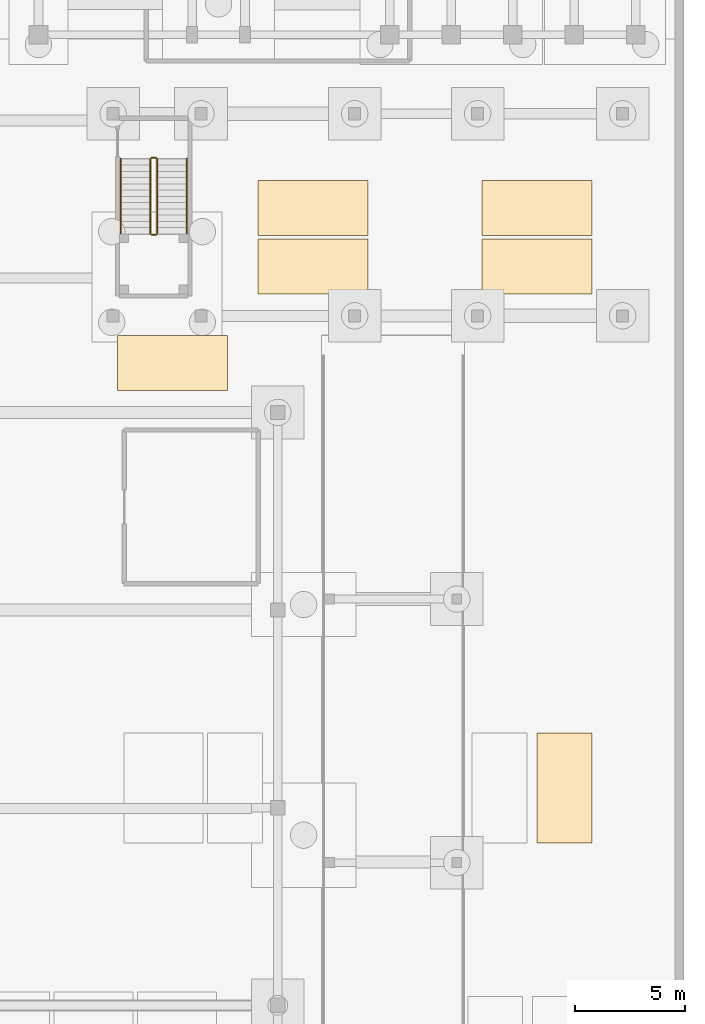
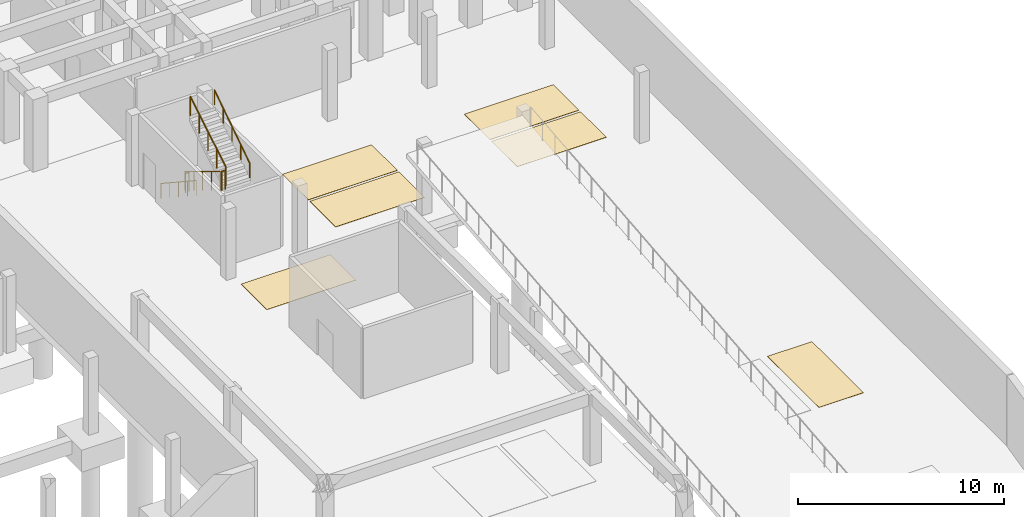
# One storey, part 50 of 53: 6 coverings, 6 railings.
"""IFC4 building model written with IfcOpenShell, lengths in metres."""

from ifc_helpers import new_model, si_unit, direction, frame, origin, origin_2d, place, context, subcontext, project, spatial, polyline, circle, outline, extrude, material, layer, layer_set, type_object, element, save


model = new_model("IFC4")

# Units and contexts
model_context = context("Model", 3, precision=1e-05, world=origin(), true_north=direction((0.0, 1.0)))
body_context = subcontext(model_context, "Body", "Model", "MODEL_VIEW")
ifc_project = project(units=[si_unit("LENGTHUNIT", "METRE"), si_unit("AREAUNIT", "SQUARE_METRE"), si_unit("VOLUMEUNIT", "CUBIC_METRE"), si_unit("PLANEANGLEUNIT", "RADIAN"), si_unit("MASSUNIT", "GRAM", prefix="KILO")], contexts=[model_context])

# Site, building, storey
site_placement = place(None, origin())
site = spatial("IfcSite", under=ifc_project, at=site_placement, CompositionType="ELEMENT")
building_placement = place(site_placement, origin())
building = spatial("IfcBuilding", under=site, at=building_placement, Name="Kiranvali Square Residences", CompositionType="ELEMENT")
storey_placement = place(building_placement, frame((0.0, 0.0, -4.5)))
storey = spatial("IfcBuildingStorey", under=building, at=storey_placement, Name="B1", CompositionType="ELEMENT", Elevation=-4.5)

# Coverings
ifc_material_1 = material(Name="Polished terrazzo and anti-slip vitrified floor finish", Category="stone")
ifc_layer = layer(ifc_material_1, 0.014892578125)
ifc_layer_set = layer_set([ifc_layer], Name="Polished terrazzo and anti-slip vitrified floor finish")
covering_type = type_object("IfcCoveringType", Name="COV-BAY-STD", PredefinedType="FLOORING", material=ifc_layer_set)
covering_1_placement = place(storey_placement, origin())
element("IfcCovering", 1, at=covering_1_placement, inside=storey, type_object=covering_type, Name="Standard Car Parking Bay P-007", PredefinedType="FLOORING", context=body_context, shape_type="SweptSolid", body=[
    extrude(outline(polyline([(161.300048828125, 31.39990234375), (163.800048828125, 31.39990234375), (163.800048828125, 36.39990234375), (161.300048828125, 36.39990234375), (161.300048828125, 31.39990234375)])), origin(), (0.0, 0.0, 1.0), 0.014892578125),
])
covering_2_placement = place(storey_placement, origin())
element("IfcCovering", 2, at=covering_2_placement, inside=storey, type_object=covering_type, Name="Standard Car Parking Bay P-054", PredefinedType="FLOORING", context=body_context, shape_type="SweptSolid", body=[
    extrude(outline(polyline([(142.199951171875, 52.0), (147.199951171875, 52.0), (147.199951171875, 54.5), (142.199951171875, 54.5), (142.199951171875, 52.0)])), origin(), (0.0, 0.0, 1.0), 0.014892578125),
])
covering_3_placement = place(storey_placement, origin())
element("IfcCovering", 3, at=covering_3_placement, inside=storey, type_object=covering_type, Name="Standard Car Parking Bay P-056", PredefinedType="FLOORING", context=body_context, shape_type="SweptSolid", body=[
    extrude(outline(polyline([(148.60009765625, 56.39990234375), (153.60009765625, 56.39990234375), (153.60009765625, 58.89990234375), (148.60009765625, 58.89990234375), (148.60009765625, 56.39990234375)])), origin(), (0.0, 0.0, 1.0), 0.014892578125),
])
covering_4_placement = place(storey_placement, origin())
element("IfcCovering", 4, at=covering_4_placement, inside=storey, type_object=covering_type, Name="Standard Car Parking Bay P-057", PredefinedType="FLOORING", context=body_context, shape_type="SweptSolid", body=[
    extrude(outline(polyline([(148.60009765625, 59.050048828125), (153.60009765625, 59.050048828125), (153.60009765625, 61.550048828125), (148.60009765625, 61.550048828125), (148.60009765625, 59.050048828125)])), origin(), (0.0, 0.0, 1.0), 0.014892578125),
])
covering_5_placement = place(storey_placement, origin())
element("IfcCovering", 5, at=covering_5_placement, inside=storey, type_object=covering_type, Name="Standard Car Parking Bay P-060", PredefinedType="FLOORING", context=body_context, shape_type="SweptSolid", body=[
    extrude(outline(polyline([(158.800048828125, 56.39990234375), (163.800048828125, 56.39990234375), (163.800048828125, 58.89990234375), (158.800048828125, 58.89990234375), (158.800048828125, 56.39990234375)])), origin(), (0.0, 0.0, 1.0), 0.014892578125),
])
covering_6_placement = place(storey_placement, origin())
element("IfcCovering", 6, at=covering_6_placement, inside=storey, type_object=covering_type, Name="Standard Car Parking Bay P-061", PredefinedType="FLOORING", context=body_context, shape_type="SweptSolid", body=[
    extrude(outline(polyline([(158.800048828125, 59.050048828125), (163.800048828125, 59.050048828125), (163.800048828125, 61.550048828125), (158.800048828125, 61.550048828125), (158.800048828125, 59.050048828125)])), origin(), (0.0, 0.0, 1.0), 0.014892578125),
])

# Railings
ifc_material_2 = material(Name="Brushed stainless steel tubular handrail", Category="steel")
railing_type_1 = type_object("IfcRailingType", Name="RL-HANDRAIL-900", PredefinedType="HANDRAIL", material=ifc_material_2)
railing_1_placement = place(storey_placement, frame((142.35009765625, 62.550048828125, 0.173095703125)))
element("IfcRailing", 7, at=railing_1_placement, inside=storey, type_object=railing_type_1, Name="B1 ST-P2 stair handrail 1", PredefinedType="HANDRAIL", context=body_context, shape_type="SweptSolid", body=[
    extrude(circle(Radius=0.02392578125, at=origin_2d()), frame((0.0, 0.0, 0.8759765625), z_axis=(0.0, -0.835429331894, 0.549597881557), x_axis=(1.0, 0.0, 0.0)), (0.0, 0.0, 1.0), 4.093994140625),
    extrude(circle(Radius=0.02099609375, at=origin_2d()), origin(), (0.0, 0.0, 1.0), 0.851806640625),
    extrude(circle(Radius=0.02099609375, at=origin_2d()), frame((0.0, -0.85498046875, 0.5625)), (0.0, 0.0, 1.0), 0.851806640625),
    extrude(circle(Radius=0.02099609375, at=origin_2d()), frame((0.0, -1.7099609375, 1.125)), (0.0, 0.0, 1.0), 0.851806640625),
    extrude(circle(Radius=0.02099609375, at=origin_2d()), frame((0.0, -2.565185546875, 1.6875)), (0.0, 0.0, 1.0), 0.851806640625),
    extrude(circle(Radius=0.02099609375, at=origin_2d()), frame((0.0, -3.420166015625, 2.25)), (0.0, 0.0, 1.0), 0.851806640625),
])
railing_2_placement = place(storey_placement, frame((145.35009765625, 59.1298828125, 2.423095703125)))
element("IfcRailing", 8, at=railing_2_placement, inside=storey, type_object=railing_type_1, Name="B1 ST-P2 stair handrail 2", PredefinedType="HANDRAIL", context=body_context, shape_type="SweptSolid", body=[
    extrude(circle(Radius=0.02392578125, at=origin_2d()), frame((0.0, 0.0, 0.8759765625), z_axis=(0.0, 0.835429331894, 0.549597881557), x_axis=(-1.0, 0.0, 0.0)), (0.0, 0.0, 1.0), 4.093994140625),
    extrude(circle(Radius=0.02099609375, at=origin_2d()), origin(), (0.0, 0.0, 1.0), 0.851806640625),
    extrude(circle(Radius=0.02099609375, at=origin_2d()), frame((0.0, 0.85498046875, 0.5625)), (0.0, 0.0, 1.0), 0.851806640625),
    extrude(circle(Radius=0.02099609375, at=origin_2d()), frame((0.0, 1.7099609375, 1.125)), (0.0, 0.0, 1.0), 0.851806640625),
    extrude(circle(Radius=0.02099609375, at=origin_2d()), frame((0.0, 2.565185546875, 1.6875)), (0.0, 0.0, 1.0), 0.851806640625),
    extrude(circle(Radius=0.02099609375, at=origin_2d()), frame((0.0, 3.420166015625, 2.25)), (0.0, 0.0, 1.0), 0.851806640625),
])
ifc_material_3 = material(Name="Powder-coated architectural bronze balustrade", Category="steel")
railing_type_2 = type_object("IfcRailingType", Name="RL-ST-GUARD-1200", PredefinedType="GUARDRAIL", material=ifc_material_3)
railing_3_placement = place(storey_placement, frame((143.699951171875, 62.550048828125, 0.173095703125)))
element("IfcRailing", 9, at=railing_3_placement, inside=storey, type_object=railing_type_2, Name="B1 ST-P2 stair guard 1", PredefinedType="GUARDRAIL", context=body_context, shape_type="SweptSolid", body=[
    extrude(circle(Radius=0.02392578125, at=origin_2d()), frame((0.0, 0.0, 1.1259765625), z_axis=(0.0, -0.854745945586, 0.519046595696), x_axis=(1.0, 0.0, 0.0)), (0.0, 0.0, 1.0), 4.00146484375),
    extrude(circle(Radius=0.02099609375, at=origin_2d()), origin(), (0.0, 0.0, 1.0), 1.101806640625),
    extrude(circle(Radius=0.02099609375, at=origin_2d()), frame((0.0, -0.85498046875, 0.519287109375)), (0.0, 0.0, 1.0), 1.101806640625),
    extrude(circle(Radius=0.02099609375, at=origin_2d()), frame((0.0, -1.7099609375, 1.03857421875)), (0.0, 0.0, 1.0), 1.101806640625),
    extrude(circle(Radius=0.02099609375, at=origin_2d()), frame((0.0, -2.565185546875, 1.5576171875)), (0.0, 0.0, 1.0), 1.101806640625),
    extrude(circle(Radius=0.02099609375, at=origin_2d()), frame((0.0, -3.420166015625, 2.076904296875)), (0.0, 0.0, 1.0), 1.101806640625),
])
railing_4_placement = place(storey_placement, frame((143.75, 59.080078125, 2.25)))
element("IfcRailing", 10, at=railing_4_placement, inside=storey, type_object=railing_type_2, Name="B1 ST-P2 stair guard 2", PredefinedType="GUARDRAIL", context=body_context, shape_type="SweptSolid", body=[
    extrude(circle(Radius=0.02392578125, at=origin_2d()), frame((0.0, 0.0, 1.1259765625), z_axis=(1.0, 0.0, 0.0), x_axis=(0.0, 1.0, 0.0)), (0.0, 0.0, 1.0), 0.199951171875),
    extrude(circle(Radius=0.02099609375, at=origin_2d()), origin(), (0.0, 0.0, 1.0), 1.101806640625),
    extrude(circle(Radius=0.02099609375, at=origin_2d()), frame((0.199951171875, 0.0, 0.0)), (0.0, 0.0, 1.0), 1.101806640625),
])
railing_5_placement = place(storey_placement, frame((144.0, 59.1298828125, 2.423095703125)))
element("IfcRailing", 11, at=railing_5_placement, inside=storey, type_object=railing_type_2, Name="B1 ST-P2 stair guard 3", PredefinedType="GUARDRAIL", context=body_context, shape_type="SweptSolid", body=[
    extrude(circle(Radius=0.02392578125, at=origin_2d()), frame((0.0, 0.0, 1.1259765625), z_axis=(0.0, 0.854745945586, 0.519046595696), x_axis=(-1.0, 0.0, 0.0)), (0.0, 0.0, 1.0), 4.00146484375),
    extrude(circle(Radius=0.02099609375, at=origin_2d()), origin(), (0.0, 0.0, 1.0), 1.101806640625),
    extrude(circle(Radius=0.02099609375, at=origin_2d()), frame((0.0, 0.85498046875, 0.519287109375)), (0.0, 0.0, 1.0), 1.101806640625),
    extrude(circle(Radius=0.02099609375, at=origin_2d()), frame((0.0, 1.7099609375, 1.03857421875)), (0.0, 0.0, 1.0), 1.101806640625),
    extrude(circle(Radius=0.02099609375, at=origin_2d()), frame((0.0, 2.565185546875, 1.5576171875)), (0.0, 0.0, 1.0), 1.101806640625),
    extrude(circle(Radius=0.02099609375, at=origin_2d()), frame((0.0, 3.420166015625, 2.076904296875)), (0.0, 0.0, 1.0), 1.101806640625),
])
railing_6_placement = place(storey_placement, frame((143.75, 62.60009765625, 0.0)))
element("IfcRailing", 12, at=railing_6_placement, inside=storey, type_object=railing_type_2, Name="B1 ST-P2 stair guard 4", PredefinedType="GUARDRAIL", context=body_context, shape_type="SweptSolid", body=[
    extrude(circle(Radius=0.02392578125, at=origin_2d()), frame((0.0, 0.0, 1.1259765625), z_axis=(1.0, 0.0, 0.0), x_axis=(0.0, 1.0, 0.0)), (0.0, 0.0, 1.0), 0.199951171875),
    extrude(circle(Radius=0.02099609375, at=origin_2d()), origin(), (0.0, 0.0, 1.0), 1.101806640625),
    extrude(circle(Radius=0.02099609375, at=origin_2d()), frame((0.199951171875, 0.0, 0.0)), (0.0, 0.0, 1.0), 1.101806640625),
])

save(model, "model.ifc")
